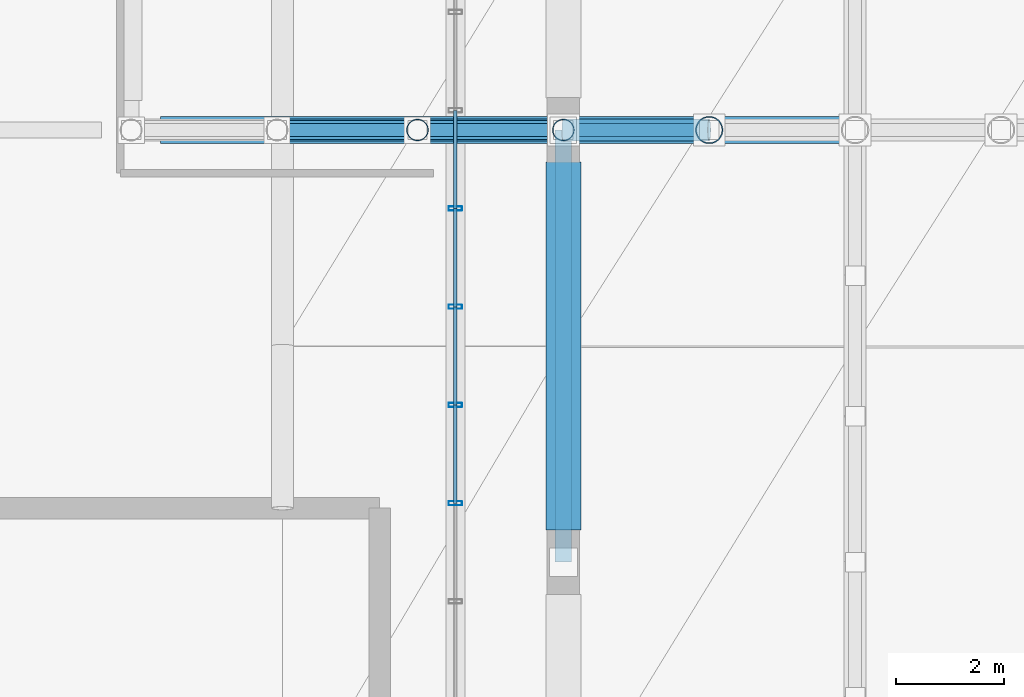
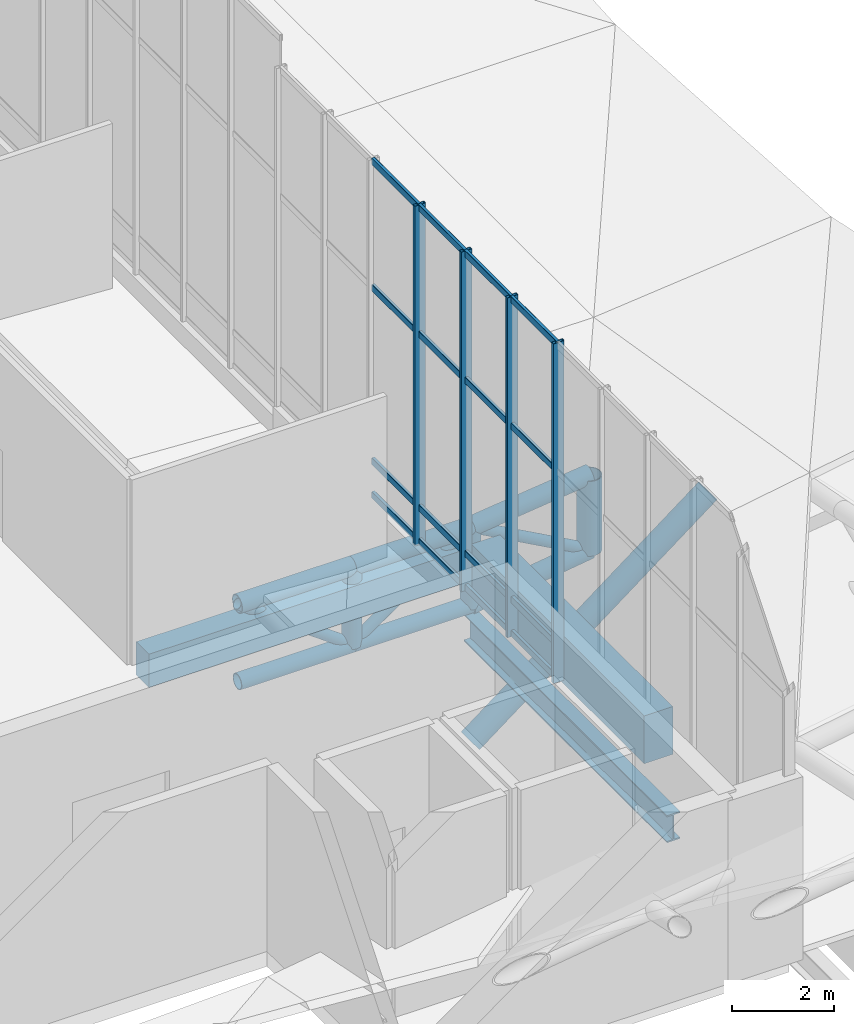
# One storey, part 65 of 137: 33 members, 3 beams, 1 element without a shape of its own.
"""IFC4 building model written with IfcOpenShell, lengths in metres."""

from ifc_helpers import new_model, si_unit, direction, frame, origin, origin_2d, place, context, subcontext, project, spatial, rectangle, hollow_rectangle, hollow_circle, i_section, extrude, material, layer, layer_set, material_profile, profile_set, type_object, element, aggregate, save


model = new_model("IFC4")

# Units and contexts
model_context = context("Model", 3, precision=1e-05, world=origin(), true_north=direction((0.0, 1.0)))
body_context = subcontext(model_context, "Body", "Model", "MODEL_VIEW")
ifc_project = project(units=[si_unit("LENGTHUNIT", "METRE"), si_unit("AREAUNIT", "SQUARE_METRE"), si_unit("VOLUMEUNIT", "CUBIC_METRE"), si_unit("PLANEANGLEUNIT", "RADIAN"), si_unit("MASSUNIT", "GRAM", prefix="KILO")], contexts=[model_context])

# Site, building, storey
site_placement = place(None, origin())
site = spatial("IfcSite", under=ifc_project, at=site_placement, CompositionType="ELEMENT")
building_placement = place(site_placement, origin())
building = spatial("IfcBuilding", under=site, at=building_placement, Name="Khorjan Park Terminus", CompositionType="ELEMENT")
storey_placement = place(building_placement, frame((0.0, 0.0, 11.4)))
storey = spatial("IfcBuildingStorey", under=building, at=storey_placement, Name="L02", CompositionType="ELEMENT", Elevation=11.4)

# Beam
ifc_material_1 = material(Name="Concrete C40/50", Category="concrete")
ifc_material_profile_1 = material_profile(ifc_material_1, rectangle(XDim=0.5, YDim=0.8, at=origin_2d()), Name="RC 500x800")
ifc_profile_set_1 = profile_set([ifc_material_profile_1], Name="Concrete C40/50")
beam_type_1 = type_object("IfcBeamType", Name="BM-RC500x800", PredefinedType="BEAM", material=ifc_profile_set_1)
beam_1_placement = place(storey_placement, frame((128.545, 44.0, -0.76), z_axis=(1.0, 0.0, 0.0), x_axis=(0.0, 1.0, 0.0)))
element("IfcBeam", 1, at=beam_1_placement, inside=storey, type_object=beam_type_1, Name="Primary floor girder GB-08 (L02)", PredefinedType="BEAM", context=body_context, shape_type="SweptSolid", body=[
    extrude(rectangle(XDim=0.5, YDim=0.8, at=origin_2d()), origin(), (0.0, 0.0, 1.0), 7.16),
])

# Members
ifc_material_2 = material(Name="Steel S355", Category="steel")
ifc_material_profile_2 = material_profile(ifc_material_2, hollow_circle(Radius=0.1222, WallThickness=0.0125, at=origin_2d()), Name="CHS 244.5x12.5")
ifc_profile_set_2 = profile_set([ifc_material_profile_2], Name="Steel S355")
member_type_1 = type_object("IfcMemberType", Name="MB-BR-245", PredefinedType="BRACE", material=ifc_profile_set_2)
member_1_placement = place(storey_placement, frame((130.7, 44.0, -0.05), z_axis=(0.811830357573, 0.0, -0.583893372562), x_axis=(0.0, 1.0, 0.0)))
element("IfcMember", 2, at=member_1_placement, inside=storey, type_object=member_type_1, Name="Lower shell W/E truss diagonal (E1)", PredefinedType="BRACE", context=body_context, shape_type="SweptSolid", body=[
    extrude(hollow_circle(Radius=0.1222, WallThickness=0.0125, at=origin_2d()), origin(), (0.0, 0.0, 1.0), 3.2026),
])
member_2_placement = place(storey_placement, frame((133.3, 44.0, -1.92), z_axis=(0.822082565391, 0.0, 0.569368295289), x_axis=(0.0, 1.0, 0.0)))
element("IfcMember", 3, at=member_2_placement, inside=storey, type_object=member_type_1, Name="Lower shell W/E truss diagonal (E1)", PredefinedType="BRACE", context=body_context, shape_type="SweptSolid", body=[
    extrude(hollow_circle(Radius=0.1222, WallThickness=0.0125, at=origin_2d()), origin(), (0.0, 0.0, 1.0), 3.2843),
])
ifc_material_profile_3 = material_profile(ifc_material_2, hollow_circle(Radius=0.1222, WallThickness=0.0125, at=origin_2d()), Name="CHS 244.5x12.5")
ifc_profile_set_3 = profile_set([ifc_material_profile_3], Name="Steel S355")
member_type_2 = type_object("IfcMemberType", Name="MB-BRE-245", PredefinedType="BRACE", material=ifc_profile_set_3)
member_3_placement = place(storey_placement, frame((136.0, 44.0, -0.05), z_axis=(0.876257017995, 0.0, -0.481843998006), x_axis=(0.0, 1.0, 0.0)))
element("IfcMember", 4, at=member_3_placement, inside=storey, type_object=member_type_2, Name="Lower shell W/E truss diagonal (E1)", PredefinedType="BRACE", context=body_context, shape_type="SweptSolid", body=[
    extrude(hollow_circle(Radius=0.1222, WallThickness=0.0125, at=origin_2d()), origin(), (0.0, 0.0, 1.0), 3.0813),
])
ifc_material_profile_4 = material_profile(ifc_material_2, hollow_circle(Radius=0.1778, WallThickness=0.016, at=origin_2d()), Name="CHS 355.6x16")
ifc_profile_set_4 = profile_set([ifc_material_profile_4], Name="Steel S355")
member_type_3 = type_object("IfcMemberType", Name="MB-CH-356", PredefinedType="CHORD", material=ifc_profile_set_4)
member_4_placement = place(storey_placement, frame((130.7, 44.0, -1.92), z_axis=(1.0, 0.0, 0.0), x_axis=(0.0, 1.0, 0.0)))
element("IfcMember", 5, at=member_4_placement, inside=storey, type_object=member_type_3, Name="Lower shell W/E truss bottom chord (E1)", PredefinedType="CHORD", context=body_context, shape_type="SweptSolid", body=[
    extrude(hollow_circle(Radius=0.1778, WallThickness=0.016, at=origin_2d()), origin(), (0.0, 0.0, 1.0), 2.6),
])
member_5_placement = place(storey_placement, frame((133.3, 44.0, -1.92), z_axis=(1.0, 0.0, 0.0), x_axis=(0.0, 1.0, 0.0)))
element("IfcMember", 6, at=member_5_placement, inside=storey, type_object=member_type_3, Name="Lower shell W/E truss bottom chord (E1)", PredefinedType="CHORD", context=body_context, shape_type="SweptSolid", body=[
    extrude(hollow_circle(Radius=0.1778, WallThickness=0.016, at=origin_2d()), origin(), (0.0, 0.0, 1.0), 2.7),
])
ifc_material_profile_5 = material_profile(ifc_material_2, hollow_circle(Radius=0.2032, WallThickness=0.016, at=origin_2d()), Name="CHS 406.4x16")
ifc_profile_set_5 = profile_set([ifc_material_profile_5], Name="Steel S355")
member_type_4 = type_object("IfcMemberType", Name="MB-CH-406", PredefinedType="CHORD", material=ifc_profile_set_5)
member_6_placement = place(storey_placement, frame((130.7, 44.0, -0.05), z_axis=(1.0, 0.0, 0.0), x_axis=(0.0, 1.0, 0.0)))
element("IfcMember", 7, at=member_6_placement, inside=storey, type_object=member_type_4, Name="Lower shell W/E truss top chord (E1)", PredefinedType="CHORD", context=body_context, shape_type="SweptSolid", body=[
    extrude(hollow_circle(Radius=0.2032, WallThickness=0.016, at=origin_2d()), origin(), (0.0, 0.0, 1.0), 2.6),
])
member_7_placement = place(storey_placement, frame((133.3, 44.0, -0.05), z_axis=(1.0, 0.0, 0.0), x_axis=(0.0, 1.0, 0.0)))
element("IfcMember", 8, at=member_7_placement, inside=storey, type_object=member_type_4, Name="Lower shell W/E truss top chord (E1)", PredefinedType="CHORD", context=body_context, shape_type="SweptSolid", body=[
    extrude(hollow_circle(Radius=0.2032, WallThickness=0.016, at=origin_2d()), origin(), (0.0, 0.0, 1.0), 2.7),
])
ifc_material_profile_6 = material_profile(ifc_material_2, hollow_circle(Radius=0.2032, WallThickness=0.016, at=origin_2d()), Name="CHS 406.4x16")
ifc_profile_set_6 = profile_set([ifc_material_profile_6], Name="Steel S355")
member_type_5 = type_object("IfcMemberType", Name="MB-CHE-406", PredefinedType="CHORD", material=ifc_profile_set_6)
member_8_placement = place(storey_placement, frame((136.0, 44.0, -0.05), z_axis=(0.993250430547, 0.0, 0.115989578056), x_axis=(0.0, 1.0, 0.0)))
element("IfcMember", 9, at=member_8_placement, inside=storey, type_object=member_type_5, Name="Lower shell W/E truss top chord (E1)", PredefinedType="CHORD", context=body_context, shape_type="SweptSolid", body=[
    extrude(hollow_circle(Radius=0.2032, WallThickness=0.016, at=origin_2d()), origin(), (0.0, 0.0, 1.0), 2.7183),
])
member_9_placement = place(storey_placement, frame((136.0, 44.0, -1.92), z_axis=(0.989970748507, 0.0, 0.14127249237), x_axis=(0.0, 1.0, 0.0)))
element("IfcMember", 10, at=member_9_placement, inside=storey, type_object=member_type_5, Name="Lower shell W/E truss bottom chord (E1)", PredefinedType="CHORD", context=body_context, shape_type="SweptSolid", body=[
    extrude(hollow_circle(Radius=0.2032, WallThickness=0.016, at=origin_2d()), origin(), (0.0, 0.0, 1.0), 2.7274),
])
ifc_material_profile_7 = material_profile(ifc_material_2, hollow_circle(Radius=0.2032, WallThickness=0.016, at=origin_2d()), Name="CHS 406.4x16")
ifc_profile_set_7 = profile_set([ifc_material_profile_7], Name="Steel S355")
member_type_6 = type_object("IfcMemberType", Name="MB-ST-406", PredefinedType="STRUT", material=ifc_profile_set_7)
for number, where, z_axis, x_axis, name in (
    (11, (133.3, 44.0, -1.92), (0.0, 0.0, 1.0), (1.0, 0.0, 0.0), "Lower shell W/E truss post (E1)"),
    (12, (136.0, 44.0, -1.92), (0.0, 0.0, 1.0), (1.0, 0.0, 0.0), "Lower shell W/E truss post (E1)"),
):
    element("IfcMember", number, at=place(storey_placement, frame(where, z_axis=z_axis, x_axis=x_axis)), inside=storey, type_object=member_type_6, Name=name, PredefinedType="STRUT", context=body_context, shape_type="SweptSolid", body=[
        extrude(hollow_circle(Radius=0.2032, WallThickness=0.016, at=origin_2d()), origin(), (0.0, 0.0, 1.0), 1.87),
    ])
ifc_material_profile_8 = material_profile(ifc_material_2, hollow_circle(Radius=0.254, WallThickness=0.02, at=origin_2d()), Name="CHS 508x20")
ifc_profile_set_8 = profile_set([ifc_material_profile_8], Name="Steel S355")
member_type_7 = type_object("IfcMemberType", Name="MB-STE-508", PredefinedType="STRUT", material=ifc_profile_set_8)
member_10_placement = place(storey_placement, frame((138.7, 44.0, -1.5347), z_axis=(0.0, 0.0, 1.0), x_axis=(1.0, 0.0, 0.0)))
element("IfcMember", 13, at=member_10_placement, inside=storey, type_object=member_type_7, Name="Lower shell W/E truss post (E1)", PredefinedType="STRUT", context=body_context, shape_type="SweptSolid", body=[
    extrude(hollow_circle(Radius=0.254, WallThickness=0.02, at=origin_2d()), origin(), (0.0, 0.0, 1.0), 1.8),
])
member_11_placement = place(storey_placement, frame((136.0, 44.0, -5.2), z_axis=(0.79479169339, 0.0, 0.606882331362), x_axis=(0.0, 1.0, 0.0)))
element("IfcMember", 14, at=member_11_placement, inside=storey, type_object=member_type_7, Name="Lower shell W/E raked V-strut STE-51 (E1)", PredefinedType="STRUT", context=body_context, shape_type="SweptSolid", body=[
    extrude(hollow_circle(Radius=0.254, WallThickness=0.02, at=origin_2d()), origin(), (0.0, 0.0, 1.0), 6.7942),
])

# Curtain wall, members
ifc_material_3 = material(Name="Anodized Bronze Aluminium", Category="aluminium")
ifc_layer = layer(ifc_material_3, 0.22)
ifc_layer_set = layer_set([ifc_layer], Name="Anodized Bronze Aluminium")
curtain_wall_type = type_object("IfcCurtainWallType", Name="CW-CONC-CLR", PredefinedType="NOTDEFINED", material=ifc_layer_set)
curtain_wall_placement = place(storey_placement, origin())
curtain_wall = element("IfcCurtainWall", 15, at=curtain_wall_placement, inside=storey, type_object=curtain_wall_type, Name="Unitized curtain wall CW-CL (CW-V2-E-CLR-01)", PredefinedType="NOTDEFINED")
ifc_material_profile_9 = material_profile(ifc_material_3, hollow_rectangle(XDim=0.08, YDim=0.25, WallThickness=0.005, InnerFilletRadius=0.005, OuterFilletRadius=0.01, at=origin_2d()), Name="ALM 80x250x5")
ifc_profile_set_9 = profile_set([ifc_material_profile_9], Name="Anodized Bronze Aluminium")
member_type_8 = type_object("IfcMemberType", Name="ML-ALM-250", PredefinedType="MULLION", material=ifc_profile_set_9)
member_12_placement = place(storey_placement, frame((134.0, 37.0909, 1.1271), z_axis=(0.0, 0.0, 1.0), x_axis=(0.0, 1.0, 0.0)))
member_12 = element("IfcMember", 16, at=member_12_placement, type_object=member_type_8, Name="Curtain-wall mullion ML-25 (CW-V2-E-CLR-01-5)", PredefinedType="MULLION", context=body_context, shape_type="SweptSolid", body=[
    extrude(hollow_rectangle(XDim=0.08, YDim=0.25, WallThickness=0.005, InnerFilletRadius=0.005, OuterFilletRadius=0.01, at=origin_2d()), origin(), (0.0, 0.0, 1.0), 8.1673),
])
member_13_placement = place(storey_placement, frame((134.0, 38.9091, 1.1271), z_axis=(0.0, 0.0, 1.0), x_axis=(0.0, 1.0, 0.0)))
member_13 = element("IfcMember", 17, at=member_13_placement, type_object=member_type_8, Name="Curtain-wall mullion ML-25 (CW-V2-E-CLR-01-6)", PredefinedType="MULLION", context=body_context, shape_type="SweptSolid", body=[
    extrude(hollow_rectangle(XDim=0.08, YDim=0.25, WallThickness=0.005, InnerFilletRadius=0.005, OuterFilletRadius=0.01, at=origin_2d()), origin(), (0.0, 0.0, 1.0), 8.1673),
])
member_14_placement = place(storey_placement, frame((134.0, 40.7273, 1.1271), z_axis=(0.0, 0.0, 1.0), x_axis=(0.0, 1.0, 0.0)))
member_14 = element("IfcMember", 18, at=member_14_placement, type_object=member_type_8, Name="Curtain-wall mullion ML-25 (CW-V2-E-CLR-01-7)", PredefinedType="MULLION", context=body_context, shape_type="SweptSolid", body=[
    extrude(hollow_rectangle(XDim=0.08, YDim=0.25, WallThickness=0.005, InnerFilletRadius=0.005, OuterFilletRadius=0.01, at=origin_2d()), origin(), (0.0, 0.0, 1.0), 8.1673),
])
member_15_placement = place(storey_placement, frame((134.0, 42.5455, 1.1271), z_axis=(0.0, 0.0, 1.0), x_axis=(0.0, 1.0, 0.0)))
member_15 = element("IfcMember", 19, at=member_15_placement, type_object=member_type_8, Name="Curtain-wall mullion ML-25 (CW-V2-E-CLR-01-8)", PredefinedType="MULLION", context=body_context, shape_type="SweptSolid", body=[
    extrude(hollow_rectangle(XDim=0.08, YDim=0.25, WallThickness=0.005, InnerFilletRadius=0.005, OuterFilletRadius=0.01, at=origin_2d()), origin(), (0.0, 0.0, 1.0), 8.1673),
])

# Beams
ifc_material_profile_10 = material_profile(ifc_material_2, i_section(OverallWidth=0.3, OverallDepth=0.65, WebThickness=0.016, FlangeThickness=0.031, FilletRadius=0.027, at=origin_2d()), Name="HEB 650")
ifc_profile_set_10 = profile_set([ifc_material_profile_10], Name="Steel S355")
beam_type_2 = type_object("IfcBeamType", Name="SP-HEB650E", PredefinedType="SPANDREL", material=ifc_profile_set_10)
beam_2_placement = place(storey_placement, frame((136.0, 36.0, -2.425), z_axis=(0.0, 1.0, 0.0), x_axis=(-1.0, 0.0, 0.0)))
element("IfcBeam", 20, at=beam_2_placement, inside=storey, type_object=beam_type_2, Name="Lower shell truss support girder SP-E65 (Y40)", PredefinedType="SPANDREL", context=body_context, shape_type="SweptSolid", body=[
    extrude(i_section(OverallWidth=0.3, OverallDepth=0.65, WebThickness=0.016, FlangeThickness=0.031, FilletRadius=0.027, at=origin_2d()), origin(), (0.0, 0.0, 1.0), 8.0),
])
ifc_material_4 = material(Name="Concrete C50/60", Category="concrete")
ifc_material_profile_11 = material_profile(ifc_material_4, rectangle(XDim=0.65, YDim=1.15, at=origin_2d()), Name="RC 650x1150")
ifc_profile_set_11 = profile_set([ifc_material_profile_11], Name="Concrete C50/60")
beam_type_3 = type_object("IfcBeamType", Name="SP-RC650x1150", PredefinedType="SPANDREL", material=ifc_profile_set_11)
beam_3_placement = place(storey_placement, frame((136.0, 36.595, -0.575), z_axis=(0.0, 1.0, 0.0), x_axis=(-1.0, 0.0, 0.0)))
element("IfcBeam", 21, at=beam_3_placement, inside=storey, type_object=beam_type_3, Name="Concourse lower colonnade ring beam SP-11 (L02-62)", PredefinedType="SPANDREL", context=body_context, shape_type="SweptSolid", body=[
    extrude(rectangle(XDim=0.65, YDim=1.15, at=origin_2d()), origin(), (0.0, 0.0, 1.0), 6.81),
])

# Member
ifc_material_profile_12 = material_profile(ifc_material_3, hollow_rectangle(XDim=0.07, YDim=0.16, WallThickness=0.004, InnerFilletRadius=0.004, OuterFilletRadius=0.008, at=origin_2d()), Name="ALT 70x160x4")
ifc_profile_set_12 = profile_set([ifc_material_profile_12], Name="Anodized Bronze Aluminium")
member_type_9 = type_object("IfcMemberType", Name="TR-ALT-160", PredefinedType="USERDEFINED", material=ifc_profile_set_12)
member_16_placement = place(storey_placement, frame((134.0, 37.0909, 1.2021), z_axis=(0.0, 1.0, 0.0), x_axis=(-1.0, 0.0, 0.0)))
member_16 = element("IfcMember", 22, at=member_16_placement, type_object=member_type_9, Name="Curtain-wall transom TR-16 (CW-V2-E-CLR-01-5-1)", ObjectType="TRANSOM", PredefinedType="USERDEFINED", context=body_context, shape_type="SweptSolid", body=[
    extrude(hollow_rectangle(XDim=0.07, YDim=0.16, WallThickness=0.004, InnerFilletRadius=0.004, OuterFilletRadius=0.008, at=origin_2d()), origin(), (0.0, 0.0, 1.0), 1.8182),
])

member_17_placement = place(storey_placement, frame((134.0, 37.0909, 2.0121), z_axis=(0.0, 1.0, 0.0), x_axis=(-1.0, 0.0, 0.0)))
member_17 = element("IfcMember", 23, at=member_17_placement, type_object=member_type_9, Name="Curtain-wall transom TR-16 (CW-V2-E-CLR-01-5-2)", ObjectType="TRANSOM", PredefinedType="USERDEFINED", context=body_context, shape_type="SweptSolid", body=[
    extrude(hollow_rectangle(XDim=0.07, YDim=0.16, WallThickness=0.004, InnerFilletRadius=0.004, OuterFilletRadius=0.008, at=origin_2d()), origin(), (0.0, 0.0, 1.0), 1.8182),
])

member_18_placement = place(storey_placement, frame((134.0, 37.0909, 6.1824), z_axis=(0.0, 1.0, 0.0), x_axis=(-1.0, 0.0, 0.0)))
member_18 = element("IfcMember", 24, at=member_18_placement, type_object=member_type_9, Name="Curtain-wall transom TR-16 (CW-V2-E-CLR-01-5-3)", ObjectType="TRANSOM", PredefinedType="USERDEFINED", context=body_context, shape_type="SweptSolid", body=[
    extrude(hollow_rectangle(XDim=0.07, YDim=0.16, WallThickness=0.004, InnerFilletRadius=0.004, OuterFilletRadius=0.008, at=origin_2d()), origin(), (0.0, 0.0, 1.0), 1.8182),
])

member_19_placement = place(storey_placement, frame((134.0, 37.0909, 9.2194), z_axis=(0.0, 1.0, 0.0), x_axis=(-1.0, 0.0, 0.0)))
member_19 = element("IfcMember", 25, at=member_19_placement, type_object=member_type_9, Name="Curtain-wall transom TR-16 (CW-V2-E-CLR-01-5-4)", ObjectType="TRANSOM", PredefinedType="USERDEFINED", context=body_context, shape_type="SweptSolid", body=[
    extrude(hollow_rectangle(XDim=0.07, YDim=0.16, WallThickness=0.004, InnerFilletRadius=0.004, OuterFilletRadius=0.008, at=origin_2d()), origin(), (0.0, 0.0, 1.0), 1.8182),
])

member_20_placement = place(storey_placement, frame((134.0, 38.9091, 1.2021), z_axis=(0.0, 1.0, 0.0), x_axis=(-1.0, 0.0, 0.0)))
member_20 = element("IfcMember", 26, at=member_20_placement, type_object=member_type_9, Name="Curtain-wall transom TR-16 (CW-V2-E-CLR-01-6-1)", ObjectType="TRANSOM", PredefinedType="USERDEFINED", context=body_context, shape_type="SweptSolid", body=[
    extrude(hollow_rectangle(XDim=0.07, YDim=0.16, WallThickness=0.004, InnerFilletRadius=0.004, OuterFilletRadius=0.008, at=origin_2d()), origin(), (0.0, 0.0, 1.0), 1.8182),
])

member_21_placement = place(storey_placement, frame((134.0, 38.9091, 2.0121), z_axis=(0.0, 1.0, 0.0), x_axis=(-1.0, 0.0, 0.0)))
member_21 = element("IfcMember", 27, at=member_21_placement, type_object=member_type_9, Name="Curtain-wall transom TR-16 (CW-V2-E-CLR-01-6-2)", ObjectType="TRANSOM", PredefinedType="USERDEFINED", context=body_context, shape_type="SweptSolid", body=[
    extrude(hollow_rectangle(XDim=0.07, YDim=0.16, WallThickness=0.004, InnerFilletRadius=0.004, OuterFilletRadius=0.008, at=origin_2d()), origin(), (0.0, 0.0, 1.0), 1.8182),
])

member_22_placement = place(storey_placement, frame((134.0, 38.9091, 6.1824), z_axis=(0.0, 1.0, 0.0), x_axis=(-1.0, 0.0, 0.0)))
member_22 = element("IfcMember", 28, at=member_22_placement, type_object=member_type_9, Name="Curtain-wall transom TR-16 (CW-V2-E-CLR-01-6-3)", ObjectType="TRANSOM", PredefinedType="USERDEFINED", context=body_context, shape_type="SweptSolid", body=[
    extrude(hollow_rectangle(XDim=0.07, YDim=0.16, WallThickness=0.004, InnerFilletRadius=0.004, OuterFilletRadius=0.008, at=origin_2d()), origin(), (0.0, 0.0, 1.0), 1.8182),
])

member_23_placement = place(storey_placement, frame((134.0, 38.9091, 9.2194), z_axis=(0.0, 1.0, 0.0), x_axis=(-1.0, 0.0, 0.0)))
member_23 = element("IfcMember", 29, at=member_23_placement, type_object=member_type_9, Name="Curtain-wall transom TR-16 (CW-V2-E-CLR-01-6-4)", ObjectType="TRANSOM", PredefinedType="USERDEFINED", context=body_context, shape_type="SweptSolid", body=[
    extrude(hollow_rectangle(XDim=0.07, YDim=0.16, WallThickness=0.004, InnerFilletRadius=0.004, OuterFilletRadius=0.008, at=origin_2d()), origin(), (0.0, 0.0, 1.0), 1.8182),
])

member_24_placement = place(storey_placement, frame((134.0, 40.7273, 1.2021), z_axis=(0.0, 1.0, 0.0), x_axis=(-1.0, 0.0, 0.0)))
member_24 = element("IfcMember", 30, at=member_24_placement, type_object=member_type_9, Name="Curtain-wall transom TR-16 (CW-V2-E-CLR-01-7-1)", ObjectType="TRANSOM", PredefinedType="USERDEFINED", context=body_context, shape_type="SweptSolid", body=[
    extrude(hollow_rectangle(XDim=0.07, YDim=0.16, WallThickness=0.004, InnerFilletRadius=0.004, OuterFilletRadius=0.008, at=origin_2d()), origin(), (0.0, 0.0, 1.0), 1.8182),
])

member_25_placement = place(storey_placement, frame((134.0, 40.7273, 2.0121), z_axis=(0.0, 1.0, 0.0), x_axis=(-1.0, 0.0, 0.0)))
member_25 = element("IfcMember", 31, at=member_25_placement, type_object=member_type_9, Name="Curtain-wall transom TR-16 (CW-V2-E-CLR-01-7-2)", ObjectType="TRANSOM", PredefinedType="USERDEFINED", context=body_context, shape_type="SweptSolid", body=[
    extrude(hollow_rectangle(XDim=0.07, YDim=0.16, WallThickness=0.004, InnerFilletRadius=0.004, OuterFilletRadius=0.008, at=origin_2d()), origin(), (0.0, 0.0, 1.0), 1.8182),
])

member_26_placement = place(storey_placement, frame((134.0, 40.7273, 6.1824), z_axis=(0.0, 1.0, 0.0), x_axis=(-1.0, 0.0, 0.0)))
member_26 = element("IfcMember", 32, at=member_26_placement, type_object=member_type_9, Name="Curtain-wall transom TR-16 (CW-V2-E-CLR-01-7-3)", ObjectType="TRANSOM", PredefinedType="USERDEFINED", context=body_context, shape_type="SweptSolid", body=[
    extrude(hollow_rectangle(XDim=0.07, YDim=0.16, WallThickness=0.004, InnerFilletRadius=0.004, OuterFilletRadius=0.008, at=origin_2d()), origin(), (0.0, 0.0, 1.0), 1.8182),
])

member_27_placement = place(storey_placement, frame((134.0, 40.7273, 9.2194), z_axis=(0.0, 1.0, 0.0), x_axis=(-1.0, 0.0, 0.0)))
member_27 = element("IfcMember", 33, at=member_27_placement, type_object=member_type_9, Name="Curtain-wall transom TR-16 (CW-V2-E-CLR-01-7-4)", ObjectType="TRANSOM", PredefinedType="USERDEFINED", context=body_context, shape_type="SweptSolid", body=[
    extrude(hollow_rectangle(XDim=0.07, YDim=0.16, WallThickness=0.004, InnerFilletRadius=0.004, OuterFilletRadius=0.008, at=origin_2d()), origin(), (0.0, 0.0, 1.0), 1.8182),
])

member_28_placement = place(storey_placement, frame((134.0, 42.5455, 1.2021), z_axis=(0.0, 1.0, 0.0), x_axis=(-1.0, 0.0, 0.0)))
member_28 = element("IfcMember", 34, at=member_28_placement, type_object=member_type_9, Name="Curtain-wall transom TR-16 (CW-V2-E-CLR-01-8-1)", ObjectType="TRANSOM", PredefinedType="USERDEFINED", context=body_context, shape_type="SweptSolid", body=[
    extrude(hollow_rectangle(XDim=0.07, YDim=0.16, WallThickness=0.004, InnerFilletRadius=0.004, OuterFilletRadius=0.008, at=origin_2d()), origin(), (0.0, 0.0, 1.0), 1.8181),
])

member_29_placement = place(storey_placement, frame((134.0, 42.5455, 2.0121), z_axis=(0.0, 1.0, 0.0), x_axis=(-1.0, 0.0, 0.0)))
member_29 = element("IfcMember", 35, at=member_29_placement, type_object=member_type_9, Name="Curtain-wall transom TR-16 (CW-V2-E-CLR-01-8-2)", ObjectType="TRANSOM", PredefinedType="USERDEFINED", context=body_context, shape_type="SweptSolid", body=[
    extrude(hollow_rectangle(XDim=0.07, YDim=0.16, WallThickness=0.004, InnerFilletRadius=0.004, OuterFilletRadius=0.008, at=origin_2d()), origin(), (0.0, 0.0, 1.0), 1.8181),
])

member_30_placement = place(storey_placement, frame((134.0, 42.5455, 6.1824), z_axis=(0.0, 1.0, 0.0), x_axis=(-1.0, 0.0, 0.0)))
member_30 = element("IfcMember", 36, at=member_30_placement, type_object=member_type_9, Name="Curtain-wall transom TR-16 (CW-V2-E-CLR-01-8-3)", ObjectType="TRANSOM", PredefinedType="USERDEFINED", context=body_context, shape_type="SweptSolid", body=[
    extrude(hollow_rectangle(XDim=0.07, YDim=0.16, WallThickness=0.004, InnerFilletRadius=0.004, OuterFilletRadius=0.008, at=origin_2d()), origin(), (0.0, 0.0, 1.0), 1.8181),
])

member_31_placement = place(storey_placement, frame((134.0, 42.5455, 9.2194), z_axis=(0.0, 1.0, 0.0), x_axis=(-1.0, 0.0, 0.0)))
member_31 = element("IfcMember", 37, at=member_31_placement, type_object=member_type_9, Name="Curtain-wall transom TR-16 (CW-V2-E-CLR-01-8-4)", ObjectType="TRANSOM", PredefinedType="USERDEFINED", context=body_context, shape_type="SweptSolid", body=[
    extrude(hollow_rectangle(XDim=0.07, YDim=0.16, WallThickness=0.004, InnerFilletRadius=0.004, OuterFilletRadius=0.008, at=origin_2d()), origin(), (0.0, 0.0, 1.0), 1.8181),
])

aggregate(curtain_wall, [member_12, member_13, member_14, member_15, member_16, member_17, member_18, member_19, member_20, member_21, member_22, member_23, member_24, member_25, member_26, member_27, member_28, member_29, member_30, member_31])

save(model, "model.ifc")
